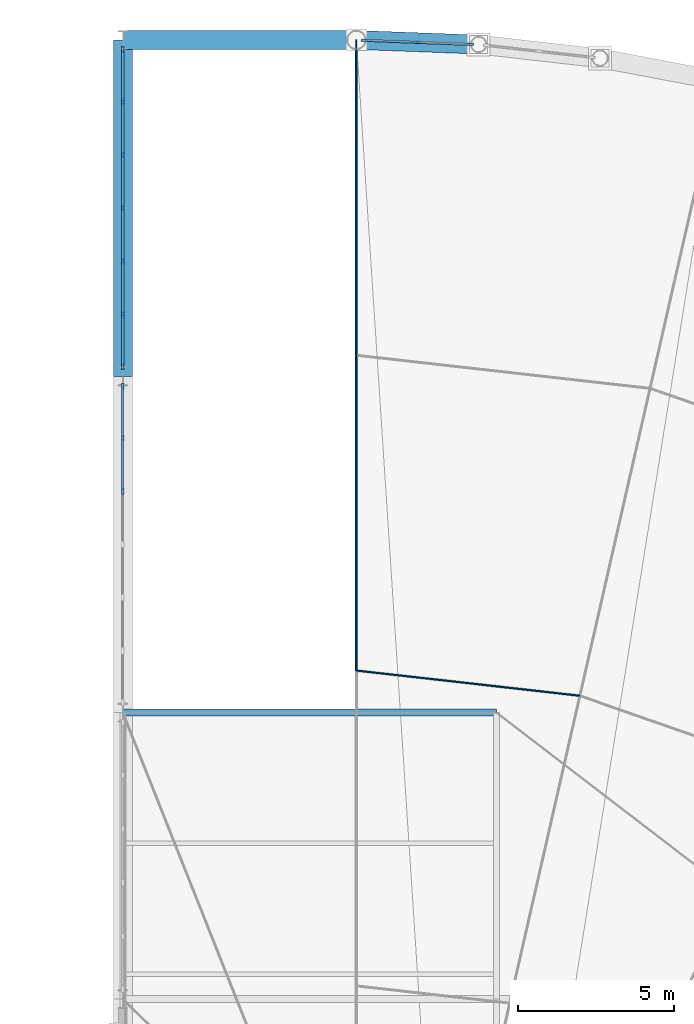
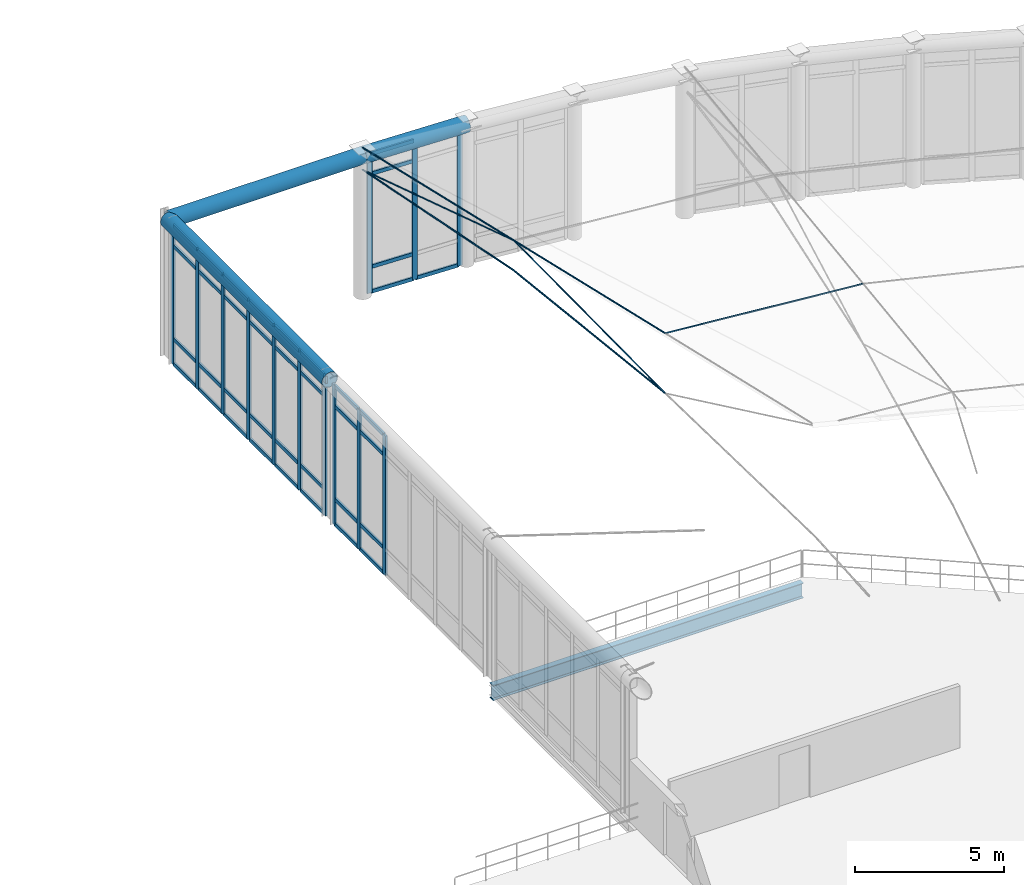
# One storey, part 44 of 101: 57 members, 4 beams, 3 elements without a shape of their own.
"""IFC4 building model written with IfcOpenShell, lengths in metres."""

from ifc_helpers import new_model, si_unit, direction, frame, origin, origin_2d, place, context, subcontext, project, spatial, rectangle, circle, hollow_circle, i_section, extrude, material, layer, layer_set, material_profile, profile_set, type_object, element, aggregate, save


model = new_model("IFC4")

# Units and contexts
model_context = context("Model", 3, precision=1e-05, world=origin(), true_north=direction((0.0, 1.0)))
body_context = subcontext(model_context, "Body", "Model", "MODEL_VIEW")
ifc_project = project(units=[si_unit("LENGTHUNIT", "METRE"), si_unit("AREAUNIT", "SQUARE_METRE"), si_unit("VOLUMEUNIT", "CUBIC_METRE"), si_unit("PLANEANGLEUNIT", "RADIAN"), si_unit("MASSUNIT", "GRAM", prefix="KILO"), si_unit("THERMODYNAMICTEMPERATUREUNIT", "KELVIN"), si_unit("POWERUNIT", "WATT")], contexts=[model_context])

# Site, building, storey
site_placement = place(None, origin())
site = spatial("IfcSite", under=ifc_project, at=site_placement, CompositionType="ELEMENT")
building_placement = place(site_placement, origin())
building = spatial("IfcBuilding", under=site, at=building_placement, Name="Tembeka Court Mobility Hub", CompositionType="ELEMENT")
storey_placement = place(building_placement, frame((0.0, 0.0, 5.39990234375)))
storey = spatial("IfcBuildingStorey", under=building, at=storey_placement, Name="L01", CompositionType="ELEMENT", Elevation=5.39990234375)

# Beams
ifc_material_1 = material(Name="Steel S355", Category="steel")
ifc_material_profile_1 = material_profile(ifc_material_1, i_section(OverallWidth=0.22900390625, OverallDepth=0.612060546875, WebThickness=0.011962890625, FlangeThickness=0.01953125, FilletRadius=0.0126953125, at=origin_2d()), Name="UKB 610x229x125")
ifc_profile_set_1 = profile_set([ifc_material_profile_1], Name="Steel S355")
beam_type_1 = type_object("IfcBeamType", Name="BM-G02", PredefinedType="USERDEFINED", material=ifc_profile_set_1)
beam_1_placement = place(storey_placement, frame((116.39990234375, 97.199951171875, -0.495849609375), z_axis=(1.0, 0.0, 0.0), x_axis=(0.0, 1.0, 0.0)))
element("IfcBeam", 1, at=beam_1_placement, inside=storey, type_object=beam_type_1, Name="Beam G02 (BM-L01-X0746)", ObjectType="GIRDER", PredefinedType="USERDEFINED", context=body_context, shape_type="SweptSolid", body=[
    extrude(i_section(OverallWidth=0.22900390625, OverallDepth=0.612060546875, WebThickness=0.011962890625, FlangeThickness=0.01953125, FilletRadius=0.0126953125, at=origin_2d()), origin(), (0.0, 0.0, 1.0), 12.0),
])
ifc_material_profile_2 = material_profile(ifc_material_1, hollow_circle(Radius=0.304931640625, WallThickness=0.02001953125, at=origin_2d()), Name="CHS 610x20")
ifc_profile_set_2 = profile_set([ifc_material_profile_2], Name="Steel S355")
beam_type_2 = type_object("IfcBeamType", Name="BM-RB01", PredefinedType="BEAM", material=ifc_profile_set_2)
beam_2_placement = place(storey_placement, frame((123.89990234375, 118.800048828125, 5.695068359375), z_axis=(-1.0, 0.0, 0.0), x_axis=(0.0, -1.0, 0.0)))
element("IfcBeam", 2, at=beam_2_placement, inside=storey, type_object=beam_type_2, Name="Concourse inner chord ring beam RB01-CH01", PredefinedType="BEAM", context=body_context, shape_type="SweptSolid", body=[
    extrude(hollow_circle(Radius=0.304931640625, WallThickness=0.02001953125, at=origin_2d()), origin(), (0.0, 0.0, 1.0), 7.5),
])
beam_3_placement = place(storey_placement, frame((116.39990234375, 118.800048828125, 5.695068359375), z_axis=(0.0, -1.0, 0.0), x_axis=(1.0, 0.0, 0.0)))
element("IfcBeam", 3, at=beam_3_placement, inside=storey, type_object=beam_type_2, Name="Concourse inner chord ring beam RB01-CH02", PredefinedType="BEAM", context=body_context, shape_type="SweptSolid", body=[
    extrude(hollow_circle(Radius=0.304931640625, WallThickness=0.02001953125, at=origin_2d()), origin(), (0.0, 0.0, 1.0), 10.800048828125),
])
beam_4_placement = place(storey_placement, frame((127.8232421875, 118.6533203125, 5.695068359375), z_axis=(-0.999301394648, 0.037372752843, 0.0), x_axis=(-0.037372752843, -0.999301394648, 0.0)))
element("IfcBeam", 4, at=beam_4_placement, inside=storey, type_object=beam_type_2, Name="Concourse compression ring beam RB01-21", PredefinedType="BEAM", context=body_context, shape_type="SweptSolid", body=[
    extrude(hollow_circle(Radius=0.304931640625, WallThickness=0.02001953125, at=origin_2d()), origin(), (0.0, 0.0, 1.0), 3.926025390625),
])

# Curtain wall, members
ifc_material_2 = material(Name="Anodised aluminium 6063-T6", Category="aluminium")
ifc_layer_1 = layer(ifc_material_2, 0.199951171875)
ifc_layer_set_1 = layer_set([ifc_layer_1], Name="Anodised aluminium 6063-T6")
curtain_wall_type_1 = type_object("IfcCurtainWallType", Name="CW-SYS25", PredefinedType="USERDEFINED", material=ifc_layer_set_1)
curtain_wall_1_placement = place(storey_placement, origin())
curtain_wall_1 = element("IfcCurtainWall", 5, at=curtain_wall_1_placement, inside=storey, type_object=curtain_wall_type_1, Name="Unitised curtain wall CW25 (CW-L01-082)", ObjectType="UNITISED GLAZING", PredefinedType="USERDEFINED")
ifc_material_profile_3 = material_profile(ifc_material_2, rectangle(XDim=0.074951171875, YDim=0.199951171875, at=origin_2d()), Name="ALU-MUL 75x200")
ifc_profile_set_3 = profile_set([ifc_material_profile_3], Name="Anodised aluminium 6063-T6")
member_type_1 = type_object("IfcMemberType", Name="CW-MUL02", PredefinedType="MULLION", material=ifc_profile_set_3)
member_1_placement = place(storey_placement, frame((127.56591796875, 118.662841796875, 0.0), z_axis=(0.0, 0.0, 1.0), x_axis=(-0.037405271186, -0.999300177968, 0.0)))
member_1 = element("IfcMember", 6, at=member_1_placement, type_object=member_type_1, Name="CW25 mullion 1", PredefinedType="MULLION", context=body_context, shape_type="SweptSolid", body=[
    extrude(rectangle(XDim=0.074951171875, YDim=0.199951171875, at=origin_2d()), origin(), (0.0, 0.0, 1.0), 5.7001953125),
])
member_2_placement = place(storey_placement, frame((125.861572265625, 118.7265625, 0.0), z_axis=(0.0, 0.0, 1.0), x_axis=(-0.037405271186, -0.999300177968, 0.0)))
member_2 = element("IfcMember", 7, at=member_2_placement, type_object=member_type_1, Name="CW25 mullion 2", PredefinedType="MULLION", context=body_context, shape_type="SweptSolid", body=[
    extrude(rectangle(XDim=0.074951171875, YDim=0.199951171875, at=origin_2d()), origin(), (0.0, 0.0, 1.0), 5.7001953125),
])
member_3_placement = place(storey_placement, frame((124.1572265625, 118.790283203125, 0.0), z_axis=(0.0, 0.0, 1.0), x_axis=(-0.037405271186, -0.999300177968, 0.0)))
member_3 = element("IfcMember", 8, at=member_3_placement, type_object=member_type_1, Name="CW25 mullion 3", PredefinedType="MULLION", context=body_context, shape_type="SweptSolid", body=[
    extrude(rectangle(XDim=0.074951171875, YDim=0.199951171875, at=origin_2d()), origin(), (0.0, 0.0, 1.0), 5.7001953125),
])

ifc_layer_2 = layer(ifc_material_2, 0.199951171875)
ifc_layer_set_2 = layer_set([ifc_layer_2], Name="Anodised aluminium 6063-T6")
curtain_wall_type_2 = type_object("IfcCurtainWallType", Name="CW-SYS30", PredefinedType="USERDEFINED", material=ifc_layer_set_2)
curtain_wall_2_placement = place(storey_placement, origin())
curtain_wall_2 = element("IfcCurtainWall", 9, at=curtain_wall_2_placement, inside=storey, type_object=curtain_wall_type_2, Name="Unitised curtain wall CW30 (CW-L01-090)", ObjectType="UNITISED GLAZING", PredefinedType="USERDEFINED")
member_4_placement = place(storey_placement, frame((116.39990234375, 104.306640625, 0.0), z_axis=(0.0, 0.0, 1.0), x_axis=(-1.0, 0.0, 0.0)))
member_4 = element("IfcMember", 10, at=member_4_placement, type_object=member_type_1, Name="CW30 mullion 5", PredefinedType="MULLION", context=body_context, shape_type="SweptSolid", body=[
    extrude(rectangle(XDim=0.074951171875, YDim=0.199951171875, at=origin_2d()), origin(), (0.0, 0.0, 1.0), 5.7001953125),
])
member_5_placement = place(storey_placement, frame((116.39990234375, 106.013427734375, 0.0), z_axis=(0.0, 0.0, 1.0), x_axis=(-1.0, 0.0, 0.0)))
member_5 = element("IfcMember", 11, at=member_5_placement, type_object=member_type_1, Name="CW30 mullion 6", PredefinedType="MULLION", context=body_context, shape_type="SweptSolid", body=[
    extrude(rectangle(XDim=0.074951171875, YDim=0.199951171875, at=origin_2d()), origin(), (0.0, 0.0, 1.0), 5.7001953125),
])
member_6_placement = place(storey_placement, frame((116.39990234375, 107.6826171875, 0.0), z_axis=(0.0, 0.0, 1.0), x_axis=(-1.0, 0.0, 0.0)))
member_6 = element("IfcMember", 12, at=member_6_placement, type_object=member_type_1, Name="CW30 mullion 7", PredefinedType="MULLION", context=body_context, shape_type="SweptSolid", body=[
    extrude(rectangle(XDim=0.074951171875, YDim=0.199951171875, at=origin_2d()), origin(), (0.0, 0.0, 1.0), 5.7001953125),
])

curtain_wall_3_placement = place(storey_placement, origin())
curtain_wall_3 = element("IfcCurtainWall", 13, at=curtain_wall_3_placement, inside=storey, type_object=curtain_wall_type_2, Name="Unitised curtain wall CW30 (CW-L01-092)", ObjectType="UNITISED GLAZING", PredefinedType="USERDEFINED")
member_7_placement = place(storey_placement, frame((116.39990234375, 108.3173828125, 0.0), z_axis=(0.0, 0.0, 1.0), x_axis=(-1.0, 0.0, 0.0)))
member_7 = element("IfcMember", 14, at=member_7_placement, type_object=member_type_1, Name="CW30 mullion 1", PredefinedType="MULLION", context=body_context, shape_type="SweptSolid", body=[
    extrude(rectangle(XDim=0.074951171875, YDim=0.199951171875, at=origin_2d()), origin(), (0.0, 0.0, 1.0), 5.7001953125),
])
member_8_placement = place(storey_placement, frame((116.39990234375, 109.986572265625, 0.0), z_axis=(0.0, 0.0, 1.0), x_axis=(-1.0, 0.0, 0.0)))
member_8 = element("IfcMember", 15, at=member_8_placement, type_object=member_type_1, Name="CW30 mullion 2", PredefinedType="MULLION", context=body_context, shape_type="SweptSolid", body=[
    extrude(rectangle(XDim=0.074951171875, YDim=0.199951171875, at=origin_2d()), origin(), (0.0, 0.0, 1.0), 5.7001953125),
])
member_9_placement = place(storey_placement, frame((116.39990234375, 111.693359375, 0.0), z_axis=(0.0, 0.0, 1.0), x_axis=(-1.0, 0.0, 0.0)))
member_9 = element("IfcMember", 16, at=member_9_placement, type_object=member_type_1, Name="CW30 mullion 3", PredefinedType="MULLION", context=body_context, shape_type="SweptSolid", body=[
    extrude(rectangle(XDim=0.074951171875, YDim=0.199951171875, at=origin_2d()), origin(), (0.0, 0.0, 1.0), 5.7001953125),
])
member_10_placement = place(storey_placement, frame((116.39990234375, 113.39990234375, 0.0), z_axis=(0.0, 0.0, 1.0), x_axis=(-1.0, 0.0, 0.0)))
member_10 = element("IfcMember", 17, at=member_10_placement, type_object=member_type_1, Name="CW30 mullion 4", PredefinedType="MULLION", context=body_context, shape_type="SweptSolid", body=[
    extrude(rectangle(XDim=0.074951171875, YDim=0.199951171875, at=origin_2d()), origin(), (0.0, 0.0, 1.0), 5.7001953125),
])
member_11_placement = place(storey_placement, frame((116.39990234375, 115.106689453125, 0.0), z_axis=(0.0, 0.0, 1.0), x_axis=(-1.0, 0.0, 0.0)))
member_11 = element("IfcMember", 18, at=member_11_placement, type_object=member_type_1, Name="CW30 mullion 5", PredefinedType="MULLION", context=body_context, shape_type="SweptSolid", body=[
    extrude(rectangle(XDim=0.074951171875, YDim=0.199951171875, at=origin_2d()), origin(), (0.0, 0.0, 1.0), 5.7001953125),
])
member_12_placement = place(storey_placement, frame((116.39990234375, 116.813232421875, 0.0), z_axis=(0.0, 0.0, 1.0), x_axis=(-1.0, 0.0, 0.0)))
member_12 = element("IfcMember", 19, at=member_12_placement, type_object=member_type_1, Name="CW30 mullion 6", PredefinedType="MULLION", context=body_context, shape_type="SweptSolid", body=[
    extrude(rectangle(XDim=0.074951171875, YDim=0.199951171875, at=origin_2d()), origin(), (0.0, 0.0, 1.0), 5.7001953125),
])
member_13_placement = place(storey_placement, frame((116.39990234375, 118.482421875, 0.0), z_axis=(0.0, 0.0, 1.0), x_axis=(-1.0, 0.0, 0.0)))
member_13 = element("IfcMember", 20, at=member_13_placement, type_object=member_type_1, Name="CW30 mullion 7", PredefinedType="MULLION", context=body_context, shape_type="SweptSolid", body=[
    extrude(rectangle(XDim=0.074951171875, YDim=0.199951171875, at=origin_2d()), origin(), (0.0, 0.0, 1.0), 5.7001953125),
])

# Member
ifc_material_profile_4 = material_profile(ifc_material_2, rectangle(XDim=0.074951171875, YDim=0.14990234375, at=origin_2d()), Name="ALU-TRN 75x150")
ifc_profile_set_4 = profile_set([ifc_material_profile_4], Name="Anodised aluminium 6063-T6")
member_type_2 = type_object("IfcMemberType", Name="CW-TRN02", PredefinedType="USERDEFINED", material=ifc_profile_set_4)
member_14_placement = place(storey_placement, frame((127.528564453125, 118.664306640625, 0.03759765625), z_axis=(-0.999304746485, 0.037283020958, 0.0), x_axis=(-0.037283020958, -0.999304746485, 0.0)))
member_14 = element("IfcMember", 21, at=member_14_placement, type_object=member_type_2, Name="CW25 transom 1.1", ObjectType="TRANSOM", PredefinedType="USERDEFINED", context=body_context, shape_type="SweptSolid", body=[
    extrude(rectangle(XDim=0.074951171875, YDim=0.14990234375, at=origin_2d()), origin(), (0.0, 0.0, 1.0), 1.630615234375),
])

member_15_placement = place(storey_placement, frame((125.82421875, 118.72802734375, 0.03759765625), z_axis=(-0.999299156787, 0.037432542583, 0.0), x_axis=(-0.037432542583, -0.999299156787, 0.0)))
member_15 = element("IfcMember", 22, at=member_15_placement, type_object=member_type_2, Name="CW25 transom 2.1", ObjectType="TRANSOM", PredefinedType="USERDEFINED", context=body_context, shape_type="SweptSolid", body=[
    extrude(rectangle(XDim=0.074951171875, YDim=0.14990234375, at=origin_2d()), origin(), (0.0, 0.0, 1.0), 1.630615234375),
])

member_16_placement = place(storey_placement, frame((125.82421875, 118.72802734375, 1.050048828125), z_axis=(-0.999299156787, 0.037432542583, 0.0), x_axis=(-0.037432542583, -0.999299156787, 0.0)))
member_16 = element("IfcMember", 23, at=member_16_placement, type_object=member_type_2, Name="CW25 transom 2.2", ObjectType="TRANSOM", PredefinedType="USERDEFINED", context=body_context, shape_type="SweptSolid", body=[
    extrude(rectangle(XDim=0.074951171875, YDim=0.14990234375, at=origin_2d()), origin(), (0.0, 0.0, 1.0), 1.630615234375),
])

member_17_placement = place(storey_placement, frame((125.82421875, 118.72802734375, 4.85009765625), z_axis=(-0.999299156787, 0.037432542583, 0.0), x_axis=(-0.037432542583, -0.999299156787, 0.0)))
member_17 = element("IfcMember", 24, at=member_17_placement, type_object=member_type_2, Name="CW25 transom 2.3", ObjectType="TRANSOM", PredefinedType="USERDEFINED", context=body_context, shape_type="SweptSolid", body=[
    extrude(rectangle(XDim=0.074951171875, YDim=0.14990234375, at=origin_2d()), origin(), (0.0, 0.0, 1.0), 1.630615234375),
])

member_18_placement = place(storey_placement, frame((125.82421875, 118.72802734375, 5.66259765625), z_axis=(-0.999299156787, 0.037432542583, 0.0), x_axis=(-0.037432542583, -0.999299156787, 0.0)))
member_18 = element("IfcMember", 25, at=member_18_placement, type_object=member_type_2, Name="CW25 transom 2.4", ObjectType="TRANSOM", PredefinedType="USERDEFINED", context=body_context, shape_type="SweptSolid", body=[
    extrude(rectangle(XDim=0.074951171875, YDim=0.14990234375, at=origin_2d()), origin(), (0.0, 0.0, 1.0), 1.630615234375),
])

aggregate(curtain_wall_1, [member_1, member_2, member_3, member_14, member_15, member_16, member_17, member_18])

member_19_placement = place(storey_placement, frame((116.39990234375, 104.34423828125, 0.03759765625), z_axis=(0.0, 1.0, 0.0), x_axis=(-1.0, 0.0, 0.0)))
member_19 = element("IfcMember", 26, at=member_19_placement, type_object=member_type_2, Name="CW30 transom 5.1", ObjectType="TRANSOM", PredefinedType="USERDEFINED", context=body_context, shape_type="SweptSolid", body=[
    extrude(rectangle(XDim=0.074951171875, YDim=0.14990234375, at=origin_2d()), origin(), (0.0, 0.0, 1.0), 1.631591796875),
])

member_20_placement = place(storey_placement, frame((116.39990234375, 104.34423828125, 1.050048828125), z_axis=(0.0, 1.0, 0.0), x_axis=(-1.0, 0.0, 0.0)))
member_20 = element("IfcMember", 27, at=member_20_placement, type_object=member_type_2, Name="CW30 transom 5.2", ObjectType="TRANSOM", PredefinedType="USERDEFINED", context=body_context, shape_type="SweptSolid", body=[
    extrude(rectangle(XDim=0.074951171875, YDim=0.14990234375, at=origin_2d()), origin(), (0.0, 0.0, 1.0), 1.631591796875),
])

member_21_placement = place(storey_placement, frame((116.39990234375, 104.34423828125, 4.85009765625), z_axis=(0.0, 1.0, 0.0), x_axis=(-1.0, 0.0, 0.0)))
member_21 = element("IfcMember", 28, at=member_21_placement, type_object=member_type_2, Name="CW30 transom 5.3", ObjectType="TRANSOM", PredefinedType="USERDEFINED", context=body_context, shape_type="SweptSolid", body=[
    extrude(rectangle(XDim=0.074951171875, YDim=0.14990234375, at=origin_2d()), origin(), (0.0, 0.0, 1.0), 1.631591796875),
])

member_22_placement = place(storey_placement, frame((116.39990234375, 104.34423828125, 5.66259765625), z_axis=(0.0, 1.0, 0.0), x_axis=(-1.0, 0.0, 0.0)))
member_22 = element("IfcMember", 29, at=member_22_placement, type_object=member_type_2, Name="CW30 transom 5.4", ObjectType="TRANSOM", PredefinedType="USERDEFINED", context=body_context, shape_type="SweptSolid", body=[
    extrude(rectangle(XDim=0.074951171875, YDim=0.14990234375, at=origin_2d()), origin(), (0.0, 0.0, 1.0), 1.631591796875),
])

member_23_placement = place(storey_placement, frame((116.39990234375, 106.05078125, 0.03759765625), z_axis=(0.0, 1.0, 0.0), x_axis=(-1.0, 0.0, 0.0)))
member_23 = element("IfcMember", 30, at=member_23_placement, type_object=member_type_2, Name="CW30 transom 6.1", ObjectType="TRANSOM", PredefinedType="USERDEFINED", context=body_context, shape_type="SweptSolid", body=[
    extrude(rectangle(XDim=0.074951171875, YDim=0.14990234375, at=origin_2d()), origin(), (0.0, 0.0, 1.0), 1.59423828125),
])

member_24_placement = place(storey_placement, frame((116.39990234375, 106.05078125, 1.050048828125), z_axis=(0.0, 1.0, 0.0), x_axis=(-1.0, 0.0, 0.0)))
member_24 = element("IfcMember", 31, at=member_24_placement, type_object=member_type_2, Name="CW30 transom 6.2", ObjectType="TRANSOM", PredefinedType="USERDEFINED", context=body_context, shape_type="SweptSolid", body=[
    extrude(rectangle(XDim=0.074951171875, YDim=0.14990234375, at=origin_2d()), origin(), (0.0, 0.0, 1.0), 1.59423828125),
])

member_25_placement = place(storey_placement, frame((116.39990234375, 106.05078125, 4.85009765625), z_axis=(0.0, 1.0, 0.0), x_axis=(-1.0, 0.0, 0.0)))
member_25 = element("IfcMember", 32, at=member_25_placement, type_object=member_type_2, Name="CW30 transom 6.3", ObjectType="TRANSOM", PredefinedType="USERDEFINED", context=body_context, shape_type="SweptSolid", body=[
    extrude(rectangle(XDim=0.074951171875, YDim=0.14990234375, at=origin_2d()), origin(), (0.0, 0.0, 1.0), 1.59423828125),
])

member_26_placement = place(storey_placement, frame((116.39990234375, 106.05078125, 5.66259765625), z_axis=(0.0, 1.0, 0.0), x_axis=(-1.0, 0.0, 0.0)))
member_26 = element("IfcMember", 33, at=member_26_placement, type_object=member_type_2, Name="CW30 transom 6.4", ObjectType="TRANSOM", PredefinedType="USERDEFINED", context=body_context, shape_type="SweptSolid", body=[
    extrude(rectangle(XDim=0.074951171875, YDim=0.14990234375, at=origin_2d()), origin(), (0.0, 0.0, 1.0), 1.59423828125),
])

aggregate(curtain_wall_2, [member_4, member_5, member_6, member_19, member_20, member_21, member_22, member_23, member_24, member_25, member_26])

member_27_placement = place(storey_placement, frame((116.39990234375, 108.35498046875, 0.03759765625), z_axis=(0.0, 1.0, 0.0), x_axis=(-1.0, 0.0, 0.0)))
member_27 = element("IfcMember", 34, at=member_27_placement, type_object=member_type_2, Name="CW30 transom 1.1", ObjectType="TRANSOM", PredefinedType="USERDEFINED", context=body_context, shape_type="SweptSolid", body=[
    extrude(rectangle(XDim=0.074951171875, YDim=0.14990234375, at=origin_2d()), origin(), (0.0, 0.0, 1.0), 1.59423828125),
])

member_28_placement = place(storey_placement, frame((116.39990234375, 108.35498046875, 1.050048828125), z_axis=(0.0, 1.0, 0.0), x_axis=(-1.0, 0.0, 0.0)))
member_28 = element("IfcMember", 35, at=member_28_placement, type_object=member_type_2, Name="CW30 transom 1.2", ObjectType="TRANSOM", PredefinedType="USERDEFINED", context=body_context, shape_type="SweptSolid", body=[
    extrude(rectangle(XDim=0.074951171875, YDim=0.14990234375, at=origin_2d()), origin(), (0.0, 0.0, 1.0), 1.59423828125),
])

member_29_placement = place(storey_placement, frame((116.39990234375, 108.35498046875, 4.85009765625), z_axis=(0.0, 1.0, 0.0), x_axis=(-1.0, 0.0, 0.0)))
member_29 = element("IfcMember", 36, at=member_29_placement, type_object=member_type_2, Name="CW30 transom 1.3", ObjectType="TRANSOM", PredefinedType="USERDEFINED", context=body_context, shape_type="SweptSolid", body=[
    extrude(rectangle(XDim=0.074951171875, YDim=0.14990234375, at=origin_2d()), origin(), (0.0, 0.0, 1.0), 1.59423828125),
])

member_30_placement = place(storey_placement, frame((116.39990234375, 108.35498046875, 5.66259765625), z_axis=(0.0, 1.0, 0.0), x_axis=(-1.0, 0.0, 0.0)))
member_30 = element("IfcMember", 37, at=member_30_placement, type_object=member_type_2, Name="CW30 transom 1.4", ObjectType="TRANSOM", PredefinedType="USERDEFINED", context=body_context, shape_type="SweptSolid", body=[
    extrude(rectangle(XDim=0.074951171875, YDim=0.14990234375, at=origin_2d()), origin(), (0.0, 0.0, 1.0), 1.59423828125),
])

member_31_placement = place(storey_placement, frame((116.39990234375, 110.024169921875, 0.03759765625), z_axis=(0.0, 1.0, 0.0), x_axis=(-1.0, 0.0, 0.0)))
member_31 = element("IfcMember", 38, at=member_31_placement, type_object=member_type_2, Name="CW30 transom 2.1", ObjectType="TRANSOM", PredefinedType="USERDEFINED", context=body_context, shape_type="SweptSolid", body=[
    extrude(rectangle(XDim=0.074951171875, YDim=0.14990234375, at=origin_2d()), origin(), (0.0, 0.0, 1.0), 1.631591796875),
])

member_32_placement = place(storey_placement, frame((116.39990234375, 110.024169921875, 1.050048828125), z_axis=(0.0, 1.0, 0.0), x_axis=(-1.0, 0.0, 0.0)))
member_32 = element("IfcMember", 39, at=member_32_placement, type_object=member_type_2, Name="CW30 transom 2.2", ObjectType="TRANSOM", PredefinedType="USERDEFINED", context=body_context, shape_type="SweptSolid", body=[
    extrude(rectangle(XDim=0.074951171875, YDim=0.14990234375, at=origin_2d()), origin(), (0.0, 0.0, 1.0), 1.631591796875),
])

member_33_placement = place(storey_placement, frame((116.39990234375, 110.024169921875, 4.85009765625), z_axis=(0.0, 1.0, 0.0), x_axis=(-1.0, 0.0, 0.0)))
member_33 = element("IfcMember", 40, at=member_33_placement, type_object=member_type_2, Name="CW30 transom 2.3", ObjectType="TRANSOM", PredefinedType="USERDEFINED", context=body_context, shape_type="SweptSolid", body=[
    extrude(rectangle(XDim=0.074951171875, YDim=0.14990234375, at=origin_2d()), origin(), (0.0, 0.0, 1.0), 1.631591796875),
])

member_34_placement = place(storey_placement, frame((116.39990234375, 110.024169921875, 5.66259765625), z_axis=(0.0, 1.0, 0.0), x_axis=(-1.0, 0.0, 0.0)))
member_34 = element("IfcMember", 41, at=member_34_placement, type_object=member_type_2, Name="CW30 transom 2.4", ObjectType="TRANSOM", PredefinedType="USERDEFINED", context=body_context, shape_type="SweptSolid", body=[
    extrude(rectangle(XDim=0.074951171875, YDim=0.14990234375, at=origin_2d()), origin(), (0.0, 0.0, 1.0), 1.631591796875),
])

member_35_placement = place(storey_placement, frame((116.39990234375, 111.730712890625, 0.03759765625), z_axis=(0.0, 1.0, 0.0), x_axis=(-1.0, 0.0, 0.0)))
member_35 = element("IfcMember", 42, at=member_35_placement, type_object=member_type_2, Name="CW30 transom 3.1", ObjectType="TRANSOM", PredefinedType="USERDEFINED", context=body_context, shape_type="SweptSolid", body=[
    extrude(rectangle(XDim=0.074951171875, YDim=0.14990234375, at=origin_2d()), origin(), (0.0, 0.0, 1.0), 1.6318359375),
])

member_36_placement = place(storey_placement, frame((116.39990234375, 111.730712890625, 1.050048828125), z_axis=(0.0, 1.0, 0.0), x_axis=(-1.0, 0.0, 0.0)))
member_36 = element("IfcMember", 43, at=member_36_placement, type_object=member_type_2, Name="CW30 transom 3.2", ObjectType="TRANSOM", PredefinedType="USERDEFINED", context=body_context, shape_type="SweptSolid", body=[
    extrude(rectangle(XDim=0.074951171875, YDim=0.14990234375, at=origin_2d()), origin(), (0.0, 0.0, 1.0), 1.6318359375),
])

member_37_placement = place(storey_placement, frame((116.39990234375, 111.730712890625, 4.85009765625), z_axis=(0.0, 1.0, 0.0), x_axis=(-1.0, 0.0, 0.0)))
member_37 = element("IfcMember", 44, at=member_37_placement, type_object=member_type_2, Name="CW30 transom 3.3", ObjectType="TRANSOM", PredefinedType="USERDEFINED", context=body_context, shape_type="SweptSolid", body=[
    extrude(rectangle(XDim=0.074951171875, YDim=0.14990234375, at=origin_2d()), origin(), (0.0, 0.0, 1.0), 1.6318359375),
])

member_38_placement = place(storey_placement, frame((116.39990234375, 111.730712890625, 5.66259765625), z_axis=(0.0, 1.0, 0.0), x_axis=(-1.0, 0.0, 0.0)))
member_38 = element("IfcMember", 45, at=member_38_placement, type_object=member_type_2, Name="CW30 transom 3.4", ObjectType="TRANSOM", PredefinedType="USERDEFINED", context=body_context, shape_type="SweptSolid", body=[
    extrude(rectangle(XDim=0.074951171875, YDim=0.14990234375, at=origin_2d()), origin(), (0.0, 0.0, 1.0), 1.6318359375),
])

member_39_placement = place(storey_placement, frame((116.39990234375, 113.4375, 0.03759765625), z_axis=(0.0, 1.0, 0.0), x_axis=(-1.0, 0.0, 0.0)))
member_39 = element("IfcMember", 46, at=member_39_placement, type_object=member_type_2, Name="CW30 transom 4.1", ObjectType="TRANSOM", PredefinedType="USERDEFINED", context=body_context, shape_type="SweptSolid", body=[
    extrude(rectangle(XDim=0.074951171875, YDim=0.14990234375, at=origin_2d()), origin(), (0.0, 0.0, 1.0), 1.631591796875),
])

member_40_placement = place(storey_placement, frame((116.39990234375, 113.4375, 1.050048828125), z_axis=(0.0, 1.0, 0.0), x_axis=(-1.0, 0.0, 0.0)))
member_40 = element("IfcMember", 47, at=member_40_placement, type_object=member_type_2, Name="CW30 transom 4.2", ObjectType="TRANSOM", PredefinedType="USERDEFINED", context=body_context, shape_type="SweptSolid", body=[
    extrude(rectangle(XDim=0.074951171875, YDim=0.14990234375, at=origin_2d()), origin(), (0.0, 0.0, 1.0), 1.631591796875),
])

member_41_placement = place(storey_placement, frame((116.39990234375, 113.4375, 4.85009765625), z_axis=(0.0, 1.0, 0.0), x_axis=(-1.0, 0.0, 0.0)))
member_41 = element("IfcMember", 48, at=member_41_placement, type_object=member_type_2, Name="CW30 transom 4.3", ObjectType="TRANSOM", PredefinedType="USERDEFINED", context=body_context, shape_type="SweptSolid", body=[
    extrude(rectangle(XDim=0.074951171875, YDim=0.14990234375, at=origin_2d()), origin(), (0.0, 0.0, 1.0), 1.631591796875),
])

member_42_placement = place(storey_placement, frame((116.39990234375, 113.4375, 5.66259765625), z_axis=(0.0, 1.0, 0.0), x_axis=(-1.0, 0.0, 0.0)))
member_42 = element("IfcMember", 49, at=member_42_placement, type_object=member_type_2, Name="CW30 transom 4.4", ObjectType="TRANSOM", PredefinedType="USERDEFINED", context=body_context, shape_type="SweptSolid", body=[
    extrude(rectangle(XDim=0.074951171875, YDim=0.14990234375, at=origin_2d()), origin(), (0.0, 0.0, 1.0), 1.631591796875),
])

member_43_placement = place(storey_placement, frame((116.39990234375, 115.144287109375, 0.03759765625), z_axis=(0.0, 1.0, 0.0), x_axis=(-1.0, 0.0, 0.0)))
member_43 = element("IfcMember", 50, at=member_43_placement, type_object=member_type_2, Name="CW30 transom 5.1", ObjectType="TRANSOM", PredefinedType="USERDEFINED", context=body_context, shape_type="SweptSolid", body=[
    extrude(rectangle(XDim=0.074951171875, YDim=0.14990234375, at=origin_2d()), origin(), (0.0, 0.0, 1.0), 1.631591796875),
])

member_44_placement = place(storey_placement, frame((116.39990234375, 115.144287109375, 1.050048828125), z_axis=(0.0, 1.0, 0.0), x_axis=(-1.0, 0.0, 0.0)))
member_44 = element("IfcMember", 51, at=member_44_placement, type_object=member_type_2, Name="CW30 transom 5.2", ObjectType="TRANSOM", PredefinedType="USERDEFINED", context=body_context, shape_type="SweptSolid", body=[
    extrude(rectangle(XDim=0.074951171875, YDim=0.14990234375, at=origin_2d()), origin(), (0.0, 0.0, 1.0), 1.631591796875),
])

member_45_placement = place(storey_placement, frame((116.39990234375, 115.144287109375, 4.85009765625), z_axis=(0.0, 1.0, 0.0), x_axis=(-1.0, 0.0, 0.0)))
member_45 = element("IfcMember", 52, at=member_45_placement, type_object=member_type_2, Name="CW30 transom 5.3", ObjectType="TRANSOM", PredefinedType="USERDEFINED", context=body_context, shape_type="SweptSolid", body=[
    extrude(rectangle(XDim=0.074951171875, YDim=0.14990234375, at=origin_2d()), origin(), (0.0, 0.0, 1.0), 1.631591796875),
])

member_46_placement = place(storey_placement, frame((116.39990234375, 115.144287109375, 5.66259765625), z_axis=(0.0, 1.0, 0.0), x_axis=(-1.0, 0.0, 0.0)))
member_46 = element("IfcMember", 53, at=member_46_placement, type_object=member_type_2, Name="CW30 transom 5.4", ObjectType="TRANSOM", PredefinedType="USERDEFINED", context=body_context, shape_type="SweptSolid", body=[
    extrude(rectangle(XDim=0.074951171875, YDim=0.14990234375, at=origin_2d()), origin(), (0.0, 0.0, 1.0), 1.631591796875),
])

member_47_placement = place(storey_placement, frame((116.39990234375, 116.850830078125, 0.03759765625), z_axis=(0.0, 1.0, 0.0), x_axis=(-1.0, 0.0, 0.0)))
member_47 = element("IfcMember", 54, at=member_47_placement, type_object=member_type_2, Name="CW30 transom 6.1", ObjectType="TRANSOM", PredefinedType="USERDEFINED", context=body_context, shape_type="SweptSolid", body=[
    extrude(rectangle(XDim=0.074951171875, YDim=0.14990234375, at=origin_2d()), origin(), (0.0, 0.0, 1.0), 1.59423828125),
])

member_48_placement = place(storey_placement, frame((116.39990234375, 116.850830078125, 1.050048828125), z_axis=(0.0, 1.0, 0.0), x_axis=(-1.0, 0.0, 0.0)))
member_48 = element("IfcMember", 55, at=member_48_placement, type_object=member_type_2, Name="CW30 transom 6.2", ObjectType="TRANSOM", PredefinedType="USERDEFINED", context=body_context, shape_type="SweptSolid", body=[
    extrude(rectangle(XDim=0.074951171875, YDim=0.14990234375, at=origin_2d()), origin(), (0.0, 0.0, 1.0), 1.59423828125),
])

member_49_placement = place(storey_placement, frame((116.39990234375, 116.850830078125, 4.85009765625), z_axis=(0.0, 1.0, 0.0), x_axis=(-1.0, 0.0, 0.0)))
member_49 = element("IfcMember", 56, at=member_49_placement, type_object=member_type_2, Name="CW30 transom 6.3", ObjectType="TRANSOM", PredefinedType="USERDEFINED", context=body_context, shape_type="SweptSolid", body=[
    extrude(rectangle(XDim=0.074951171875, YDim=0.14990234375, at=origin_2d()), origin(), (0.0, 0.0, 1.0), 1.59423828125),
])

member_50_placement = place(storey_placement, frame((116.39990234375, 116.850830078125, 5.66259765625), z_axis=(0.0, 1.0, 0.0), x_axis=(-1.0, 0.0, 0.0)))
member_50 = element("IfcMember", 57, at=member_50_placement, type_object=member_type_2, Name="CW30 transom 6.4", ObjectType="TRANSOM", PredefinedType="USERDEFINED", context=body_context, shape_type="SweptSolid", body=[
    extrude(rectangle(XDim=0.074951171875, YDim=0.14990234375, at=origin_2d()), origin(), (0.0, 0.0, 1.0), 1.59423828125),
])

aggregate(curtain_wall_3, [member_7, member_8, member_9, member_10, member_11, member_12, member_13, member_27, member_28, member_29, member_30, member_31, member_32, member_33, member_34, member_35, member_36, member_37, member_38, member_39, member_40, member_41, member_42, member_43, member_44, member_45, member_46, member_47, member_48, member_49, member_50])

# Members
ifc_material_3 = material(Name="Steel S460", Category="steel")
ifc_material_profile_5 = material_profile(ifc_material_3, circle(Radius=0.031982421875, at=origin_2d()), Name="CABLE D64")
ifc_profile_set_5 = profile_set([ifc_material_profile_5], Name="Steel S460")
member_type_3 = type_object("IfcMemberType", Name="MEM-CB01", PredefinedType="USERDEFINED", material=ifc_profile_set_5)
for number, where, z_axis, x_axis, name in (
    (58, (123.89990234375, 98.550048828125, 10.7001953125), (0.0, 0.974104590881, -0.226097868244), (-1.0, 0.0, 0.0), "Concourse radial ridge cable CB01-8-3"),
    (59, (123.89990234375, 108.675048828125, 8.35009765625), (0.0, 0.974104590881, -0.226097868244), (-1.0, 0.0, 0.0), "Concourse radial ridge cable CB01-8-4"),
):
    element("IfcMember", number, at=place(storey_placement, frame(where, z_axis=z_axis, x_axis=x_axis)), inside=storey, type_object=member_type_3, Name=name, ObjectType="CABLE", PredefinedType="USERDEFINED", context=body_context, shape_type="SweptSolid", body=[
        extrude(circle(Radius=0.031982421875, at=origin_2d()), origin(), (0.0, 0.0, 1.0), 10.39404296875),
    ])
ifc_material_profile_6 = material_profile(ifc_material_3, circle(Radius=0.02392578125, at=origin_2d()), Name="CABLE D48")
ifc_profile_set_6 = profile_set([ifc_material_profile_6], Name="Steel S460")
member_type_4 = type_object("IfcMemberType", Name="MEM-CB02", PredefinedType="USERDEFINED", material=ifc_profile_set_6)
member_51_placement = place(storey_placement, frame((123.89990234375, 98.550048828125, 8.25), z_axis=(0.0, 0.993883734674, -0.110431526075), x_axis=(-1.0, 0.0, 0.0)))
element("IfcMember", 60, at=member_51_placement, inside=storey, type_object=member_type_4, Name="Concourse radial valley cable CB02-8-3", ObjectType="CABLE", PredefinedType="USERDEFINED", context=body_context, shape_type="SweptSolid", body=[
    extrude(circle(Radius=0.02392578125, at=origin_2d()), origin(), (0.0, 0.0, 1.0), 10.187255859375),
])
member_52_placement = place(storey_placement, frame((123.89990234375, 108.675048828125, 7.125), z_axis=(0.0, 0.980582494452, -0.196107041112), x_axis=(-1.0, 0.0, 0.0)))
element("IfcMember", 61, at=member_52_placement, inside=storey, type_object=member_type_4, Name="Concourse radial valley cable CB02-8-4", ObjectType="CABLE", PredefinedType="USERDEFINED", context=body_context, shape_type="SweptSolid", body=[
    extrude(circle(Radius=0.02392578125, at=origin_2d()), origin(), (0.0, 0.0, 1.0), 10.325439453125),
])
member_53_placement = place(storey_placement, frame((131.076416015625, 97.741455078125, 10.7001953125), z_axis=(-0.993712289136, 0.111963772805, 0.0), x_axis=(-0.111963772805, -0.993712289136, 0.0)))
element("IfcMember", 62, at=member_53_placement, inside=storey, type_object=member_type_4, Name="Concourse circumferential hoop cable CB02-B7-2", ObjectType="CABLE", PredefinedType="USERDEFINED", context=body_context, shape_type="SweptSolid", body=[
    extrude(circle(Radius=0.02392578125, at=origin_2d()), origin(), (0.0, 0.0, 1.0), 7.221923828125),
])
ifc_material_profile_7 = material_profile(ifc_material_3, circle(Radius=0.01806640625, at=origin_2d()), Name="CABLE D36")
ifc_profile_set_7 = profile_set([ifc_material_profile_7], Name="Steel S460")
member_type_5 = type_object("IfcMemberType", Name="MEM-CB03", PredefinedType="USERDEFINED", material=ifc_profile_set_7)
member_54_placement = place(storey_placement, frame((123.89990234375, 98.550048828125, 8.25), z_axis=(0.0, 0.999951135223, 0.009885705185), x_axis=(-1.0, 0.0, 0.0)))
element("IfcMember", 63, at=member_54_placement, inside=storey, type_object=member_type_5, Name="Concourse Jawerth web cable CB03-8-3", ObjectType="CABLE", PredefinedType="USERDEFINED", context=body_context, shape_type="SweptSolid", body=[
    extrude(circle(Radius=0.01806640625, at=origin_2d()), origin(), (0.0, 0.0, 1.0), 10.12548828125),
])
member_55_placement = place(storey_placement, frame((123.89990234375, 108.675048828125, 8.35009765625), z_axis=(0.0, 0.952150791062, -0.305628648983), x_axis=(-1.0, 0.0, 0.0)))
element("IfcMember", 64, at=member_55_placement, inside=storey, type_object=member_type_5, Name="Concourse Jawerth web cable CB03-8-4", ObjectType="CABLE", PredefinedType="USERDEFINED", context=body_context, shape_type="SweptSolid", body=[
    extrude(circle(Radius=0.01806640625, at=origin_2d()), origin(), (0.0, 0.0, 1.0), 10.6337890625),
])

save(model, "model.ifc")
